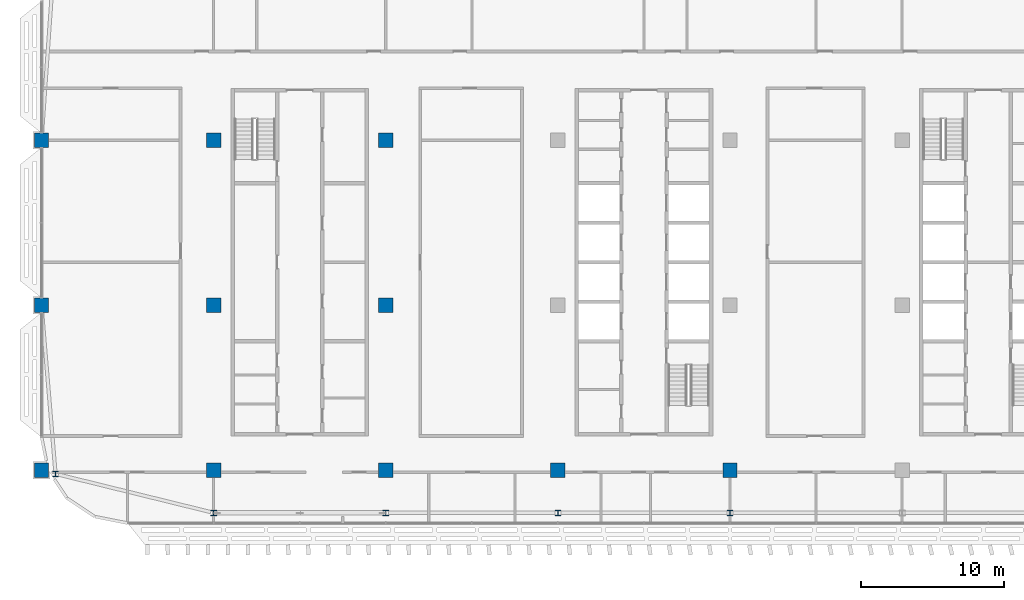
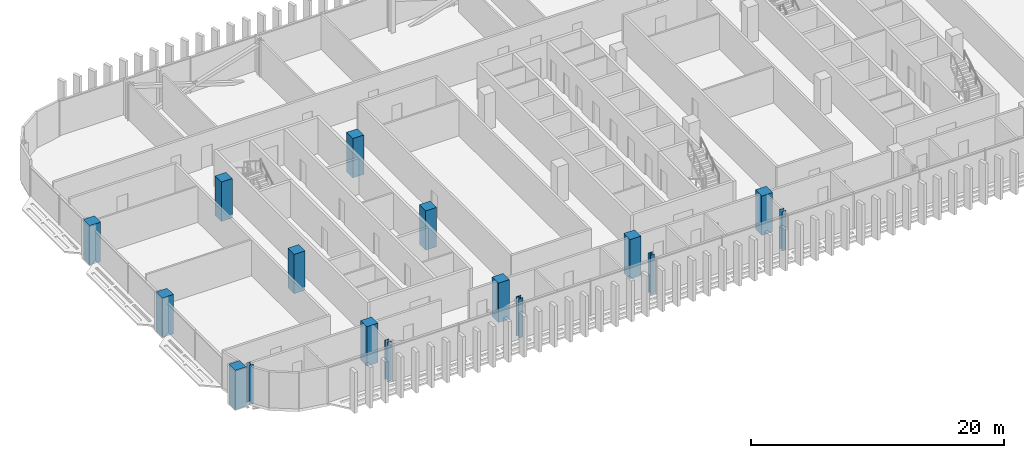
# One storey, part 1 of 34: 16 columns.
"""IFC4 building model written with IfcOpenShell, lengths in metres."""

from ifc_helpers import new_model, si_unit, direction, frame, origin, origin_2d, place, context, subcontext, project, spatial, rectangle, i_section, extrude, material, material_profile, profile_set, type_object, element, save


model = new_model("IFC4")

# Units and contexts
model_context = context("Model", 3, precision=1e-05, world=origin(), true_north=direction((0.0, 1.0)))
body_context = subcontext(model_context, "Body", "Model", "MODEL_VIEW")
ifc_project = project(units=[si_unit("LENGTHUNIT", "METRE"), si_unit("AREAUNIT", "SQUARE_METRE"), si_unit("VOLUMEUNIT", "CUBIC_METRE"), si_unit("PLANEANGLEUNIT", "RADIAN"), si_unit("MASSUNIT", "GRAM", prefix="KILO")], contexts=[model_context])

# Site, building, storey
site_placement = place(None, origin())
site = spatial("IfcSite", under=ifc_project, at=site_placement, CompositionType="ELEMENT")
building_placement = place(site_placement, origin())
building = spatial("IfcBuilding", under=site, at=building_placement, Name="Mahtab Terrace Research Tower", CompositionType="ELEMENT")
storey_placement = place(building_placement, frame((0.0, 0.0, 247.60009765625)))
storey = spatial("IfcBuildingStorey", under=building, at=storey_placement, Name="L60", CompositionType="ELEMENT", Elevation=247.60009765625)

# Columns
ifc_material_1 = material(Name="Concrete C70/85", Category="concrete")
ifc_material_profile_1 = material_profile(ifc_material_1, rectangle(XDim=1.0, YDim=1.0, at=origin_2d()), Name="RC column 1000x1000")
ifc_profile_set_1 = profile_set([ifc_material_profile_1], Name="Concrete C70/85")
column_type_1 = type_object("IfcColumnType", Name="RC column 1000x1000", PredefinedType="COLUMN", material=ifc_profile_set_1)
for number, where, z_axis, x_axis, name in (
    (1, (-42.0, -11.5, -0.340087890625), (0.0, 0.0, 1.0), (1.0, 0.0, 0.0), "Column RC-1A L60"),
    (2, (-42.0, 0.0, -0.340087890625), (0.0, 0.0, 1.0), (1.0, 0.0, 0.0), "Column RC-1B L60"),
    (3, (-42.0, 11.5, -0.340087890625), (0.0, 0.0, 1.0), (1.0, 0.0, 0.0), "Column RC-1C L60"),
    (4, (-30.0, -11.5, -0.340087890625), (0.0, 0.0, 1.0), (1.0, 0.0, 0.0), "Column RC-2A L60"),
    (5, (-30.0, 0.0, -0.340087890625), (0.0, 0.0, 1.0), (1.0, 0.0, 0.0), "Column RC-2B L60"),
    (6, (-30.0, 11.5, -0.340087890625), (0.0, 0.0, 1.0), (1.0, 0.0, 0.0), "Column RC-2C L60"),
    (7, (-18.0, -11.5, -0.340087890625), (0.0, 0.0, 1.0), (1.0, 0.0, 0.0), "Column RC-3A L60"),
    (8, (-18.0, 0.0, -0.340087890625), (0.0, 0.0, 1.0), (1.0, 0.0, 0.0), "Column RC-3B L60"),
    (9, (-18.0, 11.5, -0.340087890625), (0.0, 0.0, 1.0), (1.0, 0.0, 0.0), "Column RC-3C L60"),
    (10, (-6.0, -11.5, -0.340087890625), (0.0, 0.0, 1.0), (1.0, 0.0, 0.0), "Column RC-4A L60"),
    (11, (6.0, -11.5, -0.340087890625), (0.0, 0.0, 1.0), (1.0, 0.0, 0.0), "Column RC-5A L60"),
):
    element("IfcColumn", number, at=place(storey_placement, frame(where, z_axis=z_axis, x_axis=x_axis)), inside=storey, type_object=column_type_1, Name=name, PredefinedType="COLUMN", context=body_context, shape_type="SweptSolid", body=[
        extrude(rectangle(XDim=1.0, YDim=1.0, at=origin_2d()), origin(), (0.0, 0.0, 1.0), 3.800048828125),
    ])
ifc_material_2 = material(Name="Steel ASTM A992 Gr 50", Category="steel")
ifc_material_profile_2 = material_profile(ifc_material_2, i_section(OverallWidth=0.398681640625, OverallDepth=0.385986328125, WebThickness=0.02099609375, FlangeThickness=0.033203125, at=origin_2d()), Name="W14X176")
ifc_profile_set_2 = profile_set([ifc_material_profile_2], Name="Steel ASTM A992 Gr 50")
column_type_2 = type_object("IfcColumnType", Name="W14x176 column CS14176", PredefinedType="COLUMN", material=ifc_profile_set_2)
for number, where, z_axis, x_axis, name in (
    (12, (-41.02099609375, -11.758056640625, -0.340087890625), (0.0, 0.0, 1.0), (1.0, 0.0, 0.0), "Column SC-061 L60"),
    (13, (-30.0, -14.472900390625, -0.340087890625), (0.0, 0.0, 1.0), (1.0, 0.0, 0.0), "Column SC-062 L60"),
    (14, (-18.0, -14.472900390625, -0.340087890625), (0.0, 0.0, 1.0), (1.0, 0.0, 0.0), "Column SC-063 L60"),
    (15, (-6.0, -14.472900390625, -0.340087890625), (0.0, 0.0, 1.0), (1.0, 0.0, 0.0), "Column SC-064 L60"),
    (16, (6.0, -14.472900390625, -0.340087890625), (0.0, 0.0, 1.0), (1.0, 0.0, 0.0), "Column SC-065 L60"),
):
    element("IfcColumn", number, at=place(storey_placement, frame(where, z_axis=z_axis, x_axis=x_axis)), inside=storey, type_object=column_type_2, Name=name, PredefinedType="COLUMN", context=body_context, shape_type="SweptSolid", body=[
        extrude(i_section(OverallWidth=0.398681640625, OverallDepth=0.385986328125, WebThickness=0.02099609375, FlangeThickness=0.033203125, at=origin_2d()), origin(), (0.0, 0.0, 1.0), 3.800048828125),
    ])

save(model, "model.ifc")
